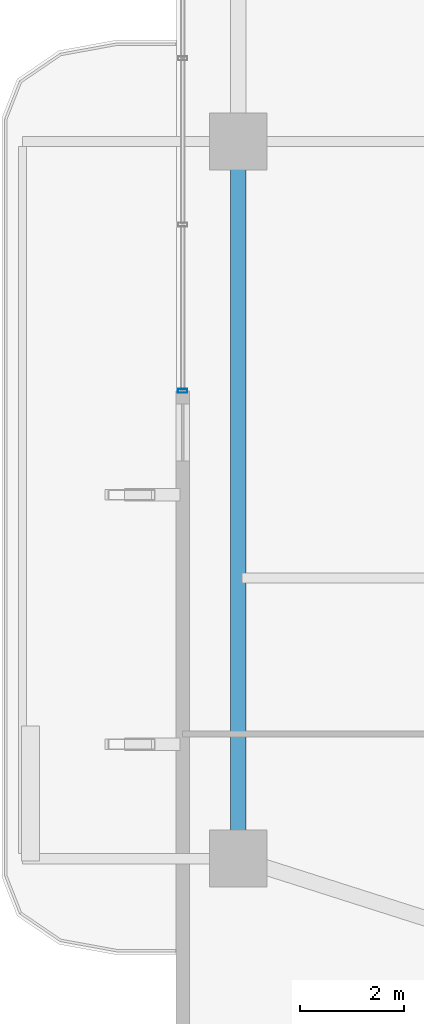
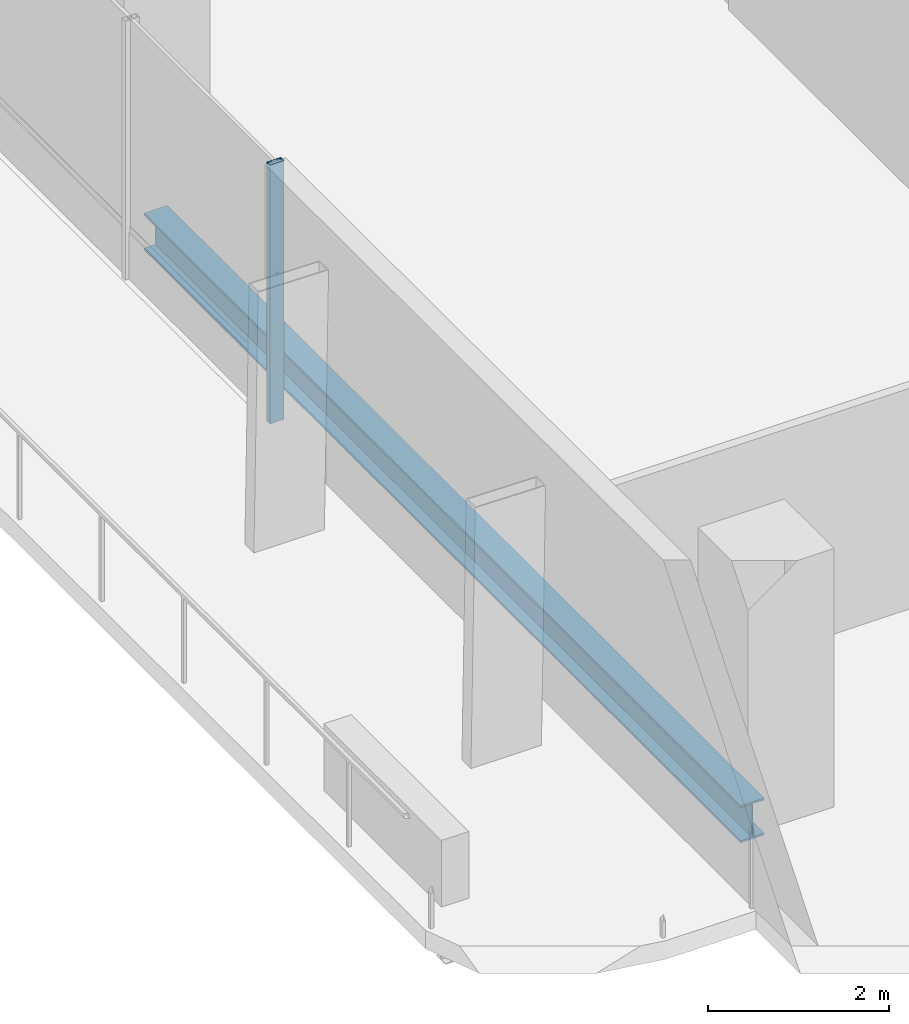
# One storey, part 4 of 25: 1 beam, 1 member, 1 element without a shape of its own.
"""IFC4 building model written with IfcOpenShell, lengths in metres."""

from ifc_helpers import new_model, si_unit, direction, frame, origin, origin_2d, place, context, subcontext, project, spatial, hollow_rectangle, i_section, extrude, material, layer, layer_set, material_profile, profile_set, type_object, element, aggregate, save


model = new_model("IFC4")

# Units and contexts
model_context = context("Model", 3, precision=1e-05, world=origin(), true_north=direction((0.0, 1.0)))
body_context = subcontext(model_context, "Body", "Model", "MODEL_VIEW")
ifc_project = project(units=[si_unit("LENGTHUNIT", "METRE"), si_unit("AREAUNIT", "SQUARE_METRE"), si_unit("VOLUMEUNIT", "CUBIC_METRE"), si_unit("PLANEANGLEUNIT", "RADIAN"), si_unit("MASSUNIT", "GRAM", prefix="KILO")], contexts=[model_context])

# Site, building, storey
site_placement = place(None, origin())
site = spatial("IfcSite", under=ifc_project, at=site_placement, CompositionType="ELEMENT")
building_placement = place(site_placement, origin())
building = spatial("IfcBuilding", under=site, at=building_placement, Name="Belovzor Exchange Tower", CompositionType="ELEMENT")
storey_placement = place(building_placement, frame((0.0, 0.0, 175.800048828125)))
storey = spatial("IfcBuildingStorey", under=building, at=storey_placement, Name="L43", CompositionType="ELEMENT", Elevation=175.800048828125)

# Curtain wall, member
ifc_material_1 = material(Name="Anodised Aluminium Framing", Category="aluminium")
ifc_layer = layer(ifc_material_1, 0.179931640625)
ifc_layer_set = layer_set([ifc_layer], Name="Anodised Aluminium Framing")
curtain_wall_type = type_object("IfcCurtainWallType", Name="Recessed Loggia Low-Iron Triple-Glazed Curtain Wall", PredefinedType="NOTDEFINED", material=ifc_layer_set)
curtain_wall_placement = place(storey_placement, origin())
curtain_wall = element("IfcCurtainWall", 1, at=curtain_wall_placement, inside=storey, type_object=curtain_wall_type, Name="CW3 Recessed Loggia Low-Iron Triple-Glazed Curtain Wall L43", PredefinedType="NOTDEFINED")
ifc_material_2 = material(Name="Steel S355", Category="steel")
ifc_material_profile_1 = material_profile(ifc_material_2, hollow_rectangle(XDim=0.074951171875, YDim=0.179931640625, WallThickness=0.0048828125, at=origin_2d()))
ifc_profile_set_1 = profile_set([ifc_material_profile_1], Name="Steel S355")
member_type = type_object("IfcMemberType", Name="Thermally Broken Curtain Wall Mullion 180x75", PredefinedType="MULLION", material=ifc_profile_set_1)
member_placement = place(storey_placement, frame((4.6298828125, 24.0, 0.0), z_axis=(0.0, 0.0, 1.0), x_axis=(0.0, 1.0, 0.0)))
member = element("IfcMember", 2, at=member_placement, type_object=member_type, Name="CW-M180 Curtain Wall Mullion 1", PredefinedType="MULLION", context=body_context, shape_type="SweptSolid", body=[
    extrude(hollow_rectangle(XDim=0.074951171875, YDim=0.179931640625, WallThickness=0.0048828125, at=origin_2d()), origin(), (0.0, 0.0, 1.0), 3.494873046875),
])
aggregate(curtain_wall, [member])

# Beam
ifc_material_3 = material(Name="Steel S355", Category="steel")
ifc_material_profile_2 = material_profile(ifc_material_3, i_section(OverallWidth=0.300048828125, OverallDepth=0.5, WebThickness=0.014404296875, FlangeThickness=0.028076171875, at=origin_2d()))
ifc_profile_set_2 = profile_set([ifc_material_profile_2], Name="Steel S355")
beam_type = type_object("IfcBeamType", Name="Zone 3 Waist Primary Girder HEB 500", PredefinedType="BEAM", material=ifc_profile_set_2)
beam_placement = place(storey_placement, frame((5.699951171875, 28.498046875, -0.505126953125), z_axis=(0.0, -1.0, 0.0), x_axis=(1.0, 0.0, 0.0)))
element("IfcBeam", 3, at=beam_placement, inside=storey, type_object=beam_type, Name="FG-Z3 Zone 3 Waist Primary Girder HEB 500", PredefinedType="BEAM", context=body_context, shape_type="SweptSolid", body=[
    extrude(i_section(OverallWidth=0.300048828125, OverallDepth=0.5, WebThickness=0.014404296875, FlangeThickness=0.028076171875, at=origin_2d()), origin(), (0.0, 0.0, 1.0), 13.195068359375),
])

save(model, "model.ifc")
